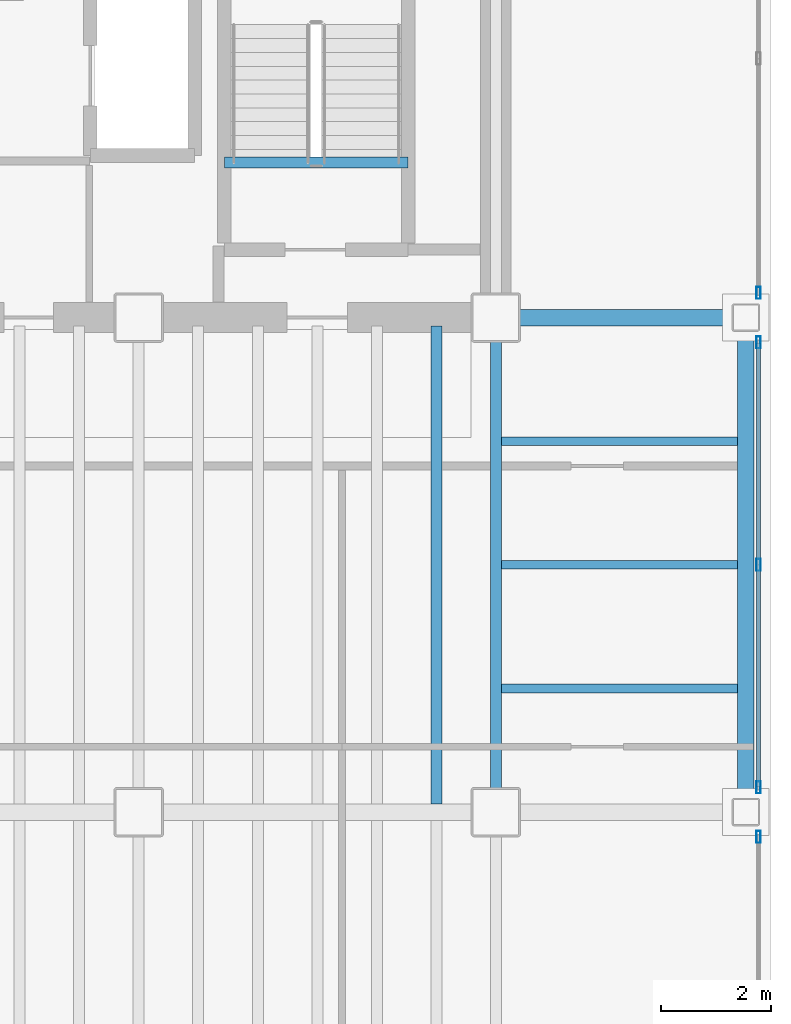
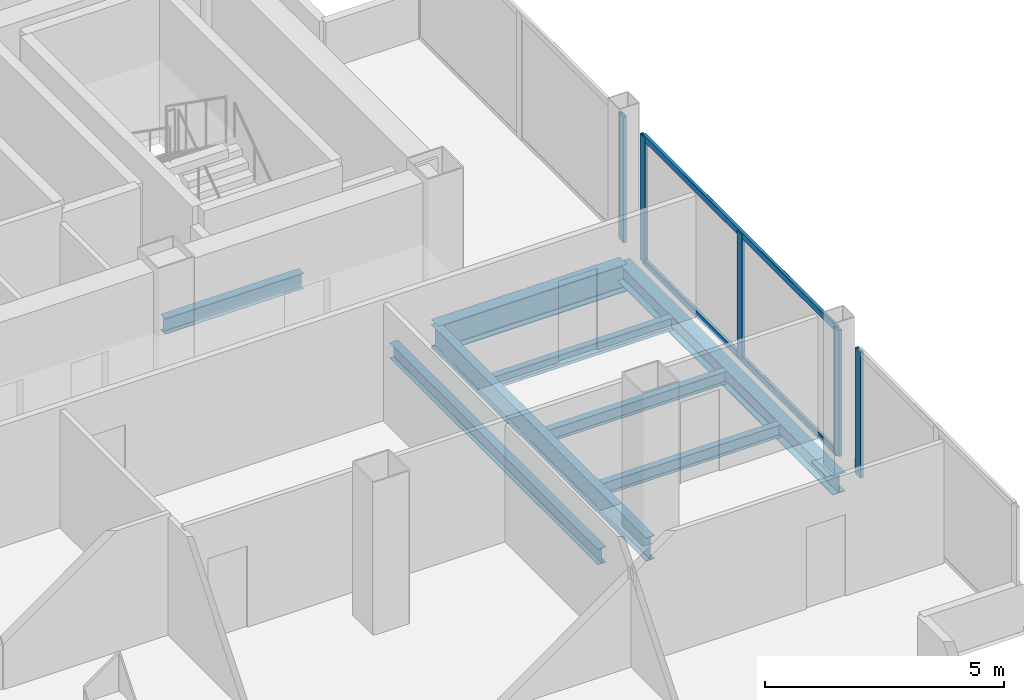
# One storey, part 16 of 22: 8 beams, 7 members, 3 elements without a shape of their own.
"""IFC4 building model written with IfcOpenShell, lengths in metres."""

from ifc_helpers import new_model, si_unit, direction, frame, origin, origin_2d, place, context, subcontext, project, spatial, hollow_rectangle, i_section, extrude, material, material_profile, profile_set, type_object, element, aggregate, save


model = new_model("IFC4")

# Units and contexts
model_context = context("Model", 3, precision=1e-05, world=origin(), true_north=direction((0.0, 1.0)))
body_context = subcontext(model_context, "Body", "Model", "MODEL_VIEW")
ifc_project = project(units=[si_unit("LENGTHUNIT", "METRE"), si_unit("AREAUNIT", "SQUARE_METRE"), si_unit("VOLUMEUNIT", "CUBIC_METRE"), si_unit("PLANEANGLEUNIT", "RADIAN"), si_unit("MASSUNIT", "GRAM", prefix="KILO")], contexts=[model_context])

# Site, building, storey
site_placement = place(None, origin())
site = spatial("IfcSite", under=ifc_project, at=site_placement, CompositionType="ELEMENT")
building_placement = place(site_placement, origin())
building = spatial("IfcBuilding", under=site, at=building_placement, Name="Noeulbin Bourse Tower", CompositionType="ELEMENT")
storey_placement = place(building_placement, frame((0.0, 0.0, 134.39990234375)))
storey = spatial("IfcBuildingStorey", under=building, at=storey_placement, Name="L33", CompositionType="ELEMENT", Elevation=134.39990234375)

# Beams
ifc_material_1 = material(Name="Steel S355", Category="steel")
ifc_material_profile_1 = material_profile(ifc_material_1, i_section(OverallWidth=0.199951171875, OverallDepth=0.60009765625, WebThickness=0.010986328125, FlangeThickness=0.01708984375, FilletRadius=0.02197265625, at=origin_2d()), Name="H-600x200x11x17", Category="LoadBearing")
ifc_profile_set_1 = profile_set([ifc_material_profile_1], Name="Steel S355")
beam_type_1 = type_object("IfcBeamType", Name="BM-GRD-600", PredefinedType="USERDEFINED", material=ifc_profile_set_1)
beam_1_placement = place(storey_placement, frame((44.0, 20.0, -0.47998046875), z_axis=(0.0, 1.0, 0.0), x_axis=(-1.0, 0.0, 0.0)))
element("IfcBeam", 1, at=beam_1_placement, inside=storey, type_object=beam_type_1, Name="Tower Primary Girder NS L33-5.2", ObjectType="GIRDER", PredefinedType="USERDEFINED", context=body_context, shape_type="SweptSolid", body=[
    extrude(i_section(OverallWidth=0.199951171875, OverallDepth=0.60009765625, WebThickness=0.010986328125, FlangeThickness=0.01708984375, FilletRadius=0.02197265625, at=origin_2d()), origin(), (0.0, 0.0, 1.0), 9.0),
])
ifc_material_profile_2 = material_profile(ifc_material_1, i_section(OverallWidth=0.300048828125, OverallDepth=0.699951171875, WebThickness=0.012939453125, FlangeThickness=0.02392578125, FilletRadius=0.02392578125, at=origin_2d()), Name="H-700x300x13x24", Category="LoadBearing")
ifc_profile_set_2 = profile_set([ifc_material_profile_2], Name="Steel S355")
beam_type_2 = type_object("IfcBeamType", Name="BM-GRD-700", PredefinedType="USERDEFINED", material=ifc_profile_set_2)
beam_2_placement = place(storey_placement, frame((44.0, 29.0, -0.52978515625), z_axis=(1.0, 0.0, 0.0), x_axis=(0.0, 1.0, 0.0)))
element("IfcBeam", 2, at=beam_2_placement, inside=storey, type_object=beam_type_2, Name="Tower Primary Girder EW L33-2.6", ObjectType="GIRDER", PredefinedType="USERDEFINED", context=body_context, shape_type="SweptSolid", body=[
    extrude(i_section(OverallWidth=0.300048828125, OverallDepth=0.699951171875, WebThickness=0.012939453125, FlangeThickness=0.02392578125, FilletRadius=0.02392578125, at=origin_2d()), origin(), (0.0, 0.0, 1.0), 4.550048828125),
])
ifc_material_profile_3 = material_profile(ifc_material_1, i_section(OverallWidth=0.159912109375, OverallDepth=0.320068359375, WebThickness=0.006591796875, FlangeThickness=0.010009765625, FilletRadius=0.012939453125, at=origin_2d()), Name="H-320x160x6.5x10", Category="LoadBearing")
ifc_profile_set_3 = profile_set([ifc_material_profile_3], Name="Steel S355")
beam_type_3 = type_object("IfcBeamType", Name="BM-JST-320", PredefinedType="JOIST", material=ifc_profile_set_3)
for number, where, z_axis, x_axis, name in (
    (3, (44.10009765625, 22.25, -0.33984375), (1.0, 0.0, 0.0), (0.0, 1.0, 0.0), "Wing Composite Joist L33-E50"),
    (4, (44.10009765625, 24.5, -0.33984375), (1.0, 0.0, 0.0), (0.0, 1.0, 0.0), "Wing Composite Joist L33-E51"),
    (5, (44.10009765625, 26.75, -0.33984375), (1.0, 0.0, 0.0), (0.0, 1.0, 0.0), "Wing Composite Joist L33-E52"),
):
    element("IfcBeam", number, at=place(storey_placement, frame(where, z_axis=z_axis, x_axis=x_axis)), inside=storey, type_object=beam_type_3, Name=name, PredefinedType="JOIST", context=body_context, shape_type="SweptSolid", body=[
        extrude(i_section(OverallWidth=0.159912109375, OverallDepth=0.320068359375, WebThickness=0.006591796875, FlangeThickness=0.010009765625, FilletRadius=0.012939453125, at=origin_2d()), origin(), (0.0, 0.0, 1.0), 4.2998046875),
    ])
ifc_material_profile_4 = material_profile(ifc_material_1, i_section(OverallWidth=0.199951171875, OverallDepth=0.39990234375, WebThickness=0.008056640625, FlangeThickness=0.012939453125, FilletRadius=0.01611328125, at=origin_2d()), Name="H-400x200x8x13", Category="LoadBearing")
ifc_profile_set_4 = profile_set([ifc_material_profile_4], Name="Steel S355")
beam_type_4 = type_object("IfcBeamType", Name="BM-SEC-400", PredefinedType="BEAM", material=ifc_profile_set_4)
beam_3_placement = place(storey_placement, frame((42.916748046875, 20.14990234375, -0.3798828125), z_axis=(0.0, 1.0, 0.0), x_axis=(-1.0, 0.0, 0.0)))
element("IfcBeam", 6, at=beam_3_placement, inside=storey, type_object=beam_type_4, Name="Tower Composite Joist L33-46", PredefinedType="BEAM", context=body_context, shape_type="SweptSolid", body=[
    extrude(i_section(OverallWidth=0.199951171875, OverallDepth=0.39990234375, WebThickness=0.008056640625, FlangeThickness=0.012939453125, FilletRadius=0.01611328125, at=origin_2d()), origin(), (0.0, 0.0, 1.0), 8.7001953125),
])
beam_4_placement = place(storey_placement, frame((39.06005859375, 31.820068359375, -0.199951171875), z_axis=(1.0, 0.0, 0.0), x_axis=(0.0, 1.0, 0.0)))
element("IfcBeam", 7, at=beam_4_placement, inside=storey, type_object=beam_type_4, Name="Stair Threshold Trimmer Beam ST2-L33", PredefinedType="BEAM", context=body_context, shape_type="SweptSolid", body=[
    extrude(i_section(OverallWidth=0.199951171875, OverallDepth=0.39990234375, WebThickness=0.008056640625, FlangeThickness=0.012939453125, FilletRadius=0.01611328125, at=origin_2d()), origin(), (0.0, 0.0, 1.0), 3.33984375),
])
ifc_material_profile_5 = material_profile(ifc_material_1, i_section(OverallWidth=0.300048828125, OverallDepth=0.488037109375, WebThickness=0.010986328125, FlangeThickness=0.01806640625, FilletRadius=0.02197265625, at=origin_2d()), Name="H-488x300x11x18", Category="LoadBearing")
ifc_profile_set_5 = profile_set([ifc_material_profile_5], Name="Steel S355")
beam_type_5 = type_object("IfcBeamType", Name="BM-SPN-488", PredefinedType="SPANDREL", material=ifc_profile_set_5)
beam_5_placement = place(storey_placement, frame((48.550048828125, 20.0, -0.423828125), z_axis=(0.0, 1.0, 0.0), x_axis=(-1.0, 0.0, 0.0)))
element("IfcBeam", 8, at=beam_5_placement, inside=storey, type_object=beam_type_5, Name="East Spandrel L33-1", PredefinedType="SPANDREL", context=body_context, shape_type="SweptSolid", body=[
    extrude(i_section(OverallWidth=0.300048828125, OverallDepth=0.488037109375, WebThickness=0.010986328125, FlangeThickness=0.01806640625, FilletRadius=0.02197265625, at=origin_2d()), origin(), (0.0, 0.0, 1.0), 9.0),
])

# Curtain wall, member
ifc_material_2 = material(Name="Dark Tinted Triple Glazing", Category="glass")
curtain_wall_type = type_object("IfcCurtainWallType", Name="CW-SYS-3", PredefinedType="NOTDEFINED", material=ifc_material_2)
curtain_wall_1_placement = place(storey_placement, origin())
curtain_wall_1 = element("IfcCurtainWall", 9, at=curtain_wall_1_placement, inside=storey, type_object=curtain_wall_type, Name="Unitised Curtain Wall CW-L33-E-S1", PredefinedType="NOTDEFINED")
ifc_material_3 = material(Name="Anodised Aluminium 6063-T6", Category="aluminium")
ifc_material_profile_6 = material_profile(ifc_material_3, hollow_rectangle(XDim=0.074951171875, YDim=0.219970703125, WallThickness=0.0048828125, InnerFilletRadius=0.00244140625, OuterFilletRadius=0.0048828125, at=origin_2d()), Name="ALU-MULL-75x220x5", Category="LoadBearing")
ifc_profile_set_6 = profile_set([ifc_material_profile_6], Name="Anodised Aluminium 6063-T6")
member_type_1 = type_object("IfcMemberType", Name="CW-SYS-3-MUL", PredefinedType="MULLION", material=ifc_profile_set_6)
member_1_placement = place(storey_placement, frame((48.780029296875, 19.550048828125, -0.02001953125), z_axis=(0.0, 0.0, 1.0), x_axis=(1.0, 0.0, 0.0)))
member_1 = element("IfcMember", 10, at=member_1_placement, type_object=member_type_1, Name="Curtain Wall Mullion CW-L33-E-S1-M02", PredefinedType="MULLION", context=body_context, shape_type="SweptSolid", body=[
    extrude(hollow_rectangle(XDim=0.074951171875, YDim=0.219970703125, WallThickness=0.0048828125, InnerFilletRadius=0.00244140625, OuterFilletRadius=0.0048828125, at=origin_2d()), origin(), (0.0, 0.0, 1.0), 3.22021484375),
])
aggregate(curtain_wall_1, [member_1])

# Curtain wall, members
curtain_wall_2_placement = place(storey_placement, origin())
curtain_wall_2 = element("IfcCurtainWall", 11, at=curtain_wall_2_placement, inside=storey, type_object=curtain_wall_type, Name="Unitised Curtain Wall CW-L33-E-S2", PredefinedType="NOTDEFINED")
member_2_placement = place(storey_placement, frame((48.780029296875, 20.449951171875, -0.02001953125), z_axis=(0.0, 0.0, 1.0), x_axis=(1.0, 0.0, 0.0)))
member_2 = element("IfcMember", 12, at=member_2_placement, type_object=member_type_1, Name="Curtain Wall Mullion CW-L33-E-S2-M00", PredefinedType="MULLION", context=body_context, shape_type="SweptSolid", body=[
    extrude(hollow_rectangle(XDim=0.074951171875, YDim=0.219970703125, WallThickness=0.0048828125, InnerFilletRadius=0.00244140625, OuterFilletRadius=0.0048828125, at=origin_2d()), origin(), (0.0, 0.0, 1.0), 3.22021484375),
])
member_3_placement = place(storey_placement, frame((48.780029296875, 24.5, -0.02001953125), z_axis=(0.0, 0.0, 1.0), x_axis=(1.0, 0.0, 0.0)))
member_3 = element("IfcMember", 13, at=member_3_placement, type_object=member_type_1, Name="Curtain Wall Mullion CW-L33-E-S2-M01", PredefinedType="MULLION", context=body_context, shape_type="SweptSolid", body=[
    extrude(hollow_rectangle(XDim=0.074951171875, YDim=0.219970703125, WallThickness=0.0048828125, InnerFilletRadius=0.00244140625, OuterFilletRadius=0.0048828125, at=origin_2d()), origin(), (0.0, 0.0, 1.0), 3.22021484375),
])
member_4_placement = place(storey_placement, frame((48.780029296875, 28.550048828125, -0.02001953125), z_axis=(0.0, 0.0, 1.0), x_axis=(1.0, 0.0, 0.0)))
member_4 = element("IfcMember", 14, at=member_4_placement, type_object=member_type_1, Name="Curtain Wall Mullion CW-L33-E-S2-M02", PredefinedType="MULLION", context=body_context, shape_type="SweptSolid", body=[
    extrude(hollow_rectangle(XDim=0.074951171875, YDim=0.219970703125, WallThickness=0.0048828125, InnerFilletRadius=0.00244140625, OuterFilletRadius=0.0048828125, at=origin_2d()), origin(), (0.0, 0.0, 1.0), 3.22021484375),
])

# Curtain wall, member
curtain_wall_3_placement = place(storey_placement, origin())
curtain_wall_3 = element("IfcCurtainWall", 15, at=curtain_wall_3_placement, inside=storey, type_object=curtain_wall_type, Name="Unitised Curtain Wall CW-L33-E-S3", PredefinedType="NOTDEFINED")
member_5_placement = place(storey_placement, frame((48.780029296875, 29.449951171875, -0.02001953125), z_axis=(0.0, 0.0, 1.0), x_axis=(1.0, 0.0, 0.0)))
member_5 = element("IfcMember", 16, at=member_5_placement, type_object=member_type_1, Name="Curtain Wall Mullion CW-L33-E-S3-M00", PredefinedType="MULLION", context=body_context, shape_type="SweptSolid", body=[
    extrude(hollow_rectangle(XDim=0.074951171875, YDim=0.219970703125, WallThickness=0.0048828125, InnerFilletRadius=0.00244140625, OuterFilletRadius=0.0048828125, at=origin_2d()), origin(), (0.0, 0.0, 1.0), 3.22021484375),
])
aggregate(curtain_wall_3, [member_5])

# Member
ifc_material_profile_7 = material_profile(ifc_material_3, hollow_rectangle(XDim=0.074951171875, YDim=0.159912109375, WallThickness=0.0048828125, InnerFilletRadius=0.00244140625, OuterFilletRadius=0.0048828125, at=origin_2d()), Name="ALU-TRAN-75x160x5", Category="LoadBearing")
ifc_profile_set_7 = profile_set([ifc_material_profile_7], Name="Anodised Aluminium 6063-T6")
member_type_2 = type_object("IfcMemberType", Name="CW-SYS-3-TRN", PredefinedType="USERDEFINED", material=ifc_profile_set_7)
member_6_placement = place(storey_placement, frame((48.780029296875, 20.4599609375, 0.010009765625), z_axis=(0.0, 1.0, 0.0), x_axis=(-1.0, 0.0, 0.0)))
member_6 = element("IfcMember", 17, at=member_6_placement, type_object=member_type_2, Name="Curtain Wall Transom CW-L33-E-S2-T00", ObjectType="TRANSOM", PredefinedType="USERDEFINED", context=body_context, shape_type="SweptSolid", body=[
    extrude(hollow_rectangle(XDim=0.074951171875, YDim=0.159912109375, WallThickness=0.0048828125, InnerFilletRadius=0.00244140625, OuterFilletRadius=0.0048828125, at=origin_2d()), origin(), (0.0, 0.0, 1.0), 8.080078125),
])

member_7_placement = place(storey_placement, frame((48.780029296875, 20.4599609375, 3.170166015625), z_axis=(0.0, 1.0, 0.0), x_axis=(-1.0, 0.0, 0.0)))
member_7 = element("IfcMember", 18, at=member_7_placement, type_object=member_type_2, Name="Curtain Wall Transom CW-L33-E-S2-T01", ObjectType="TRANSOM", PredefinedType="USERDEFINED", context=body_context, shape_type="SweptSolid", body=[
    extrude(hollow_rectangle(XDim=0.074951171875, YDim=0.159912109375, WallThickness=0.0048828125, InnerFilletRadius=0.00244140625, OuterFilletRadius=0.0048828125, at=origin_2d()), origin(), (0.0, 0.0, 1.0), 8.080078125),
])

aggregate(curtain_wall_2, [member_2, member_3, member_4, member_6, member_7])

save(model, "model.ifc")
